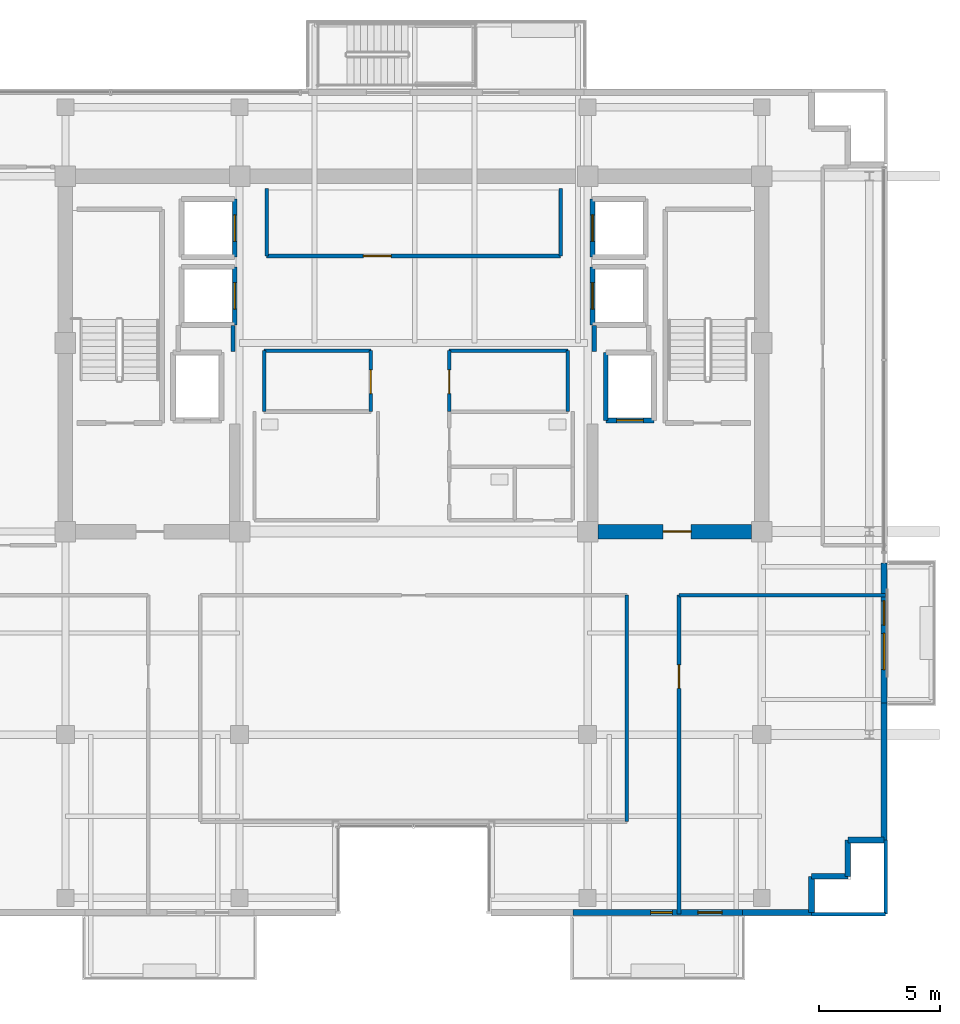
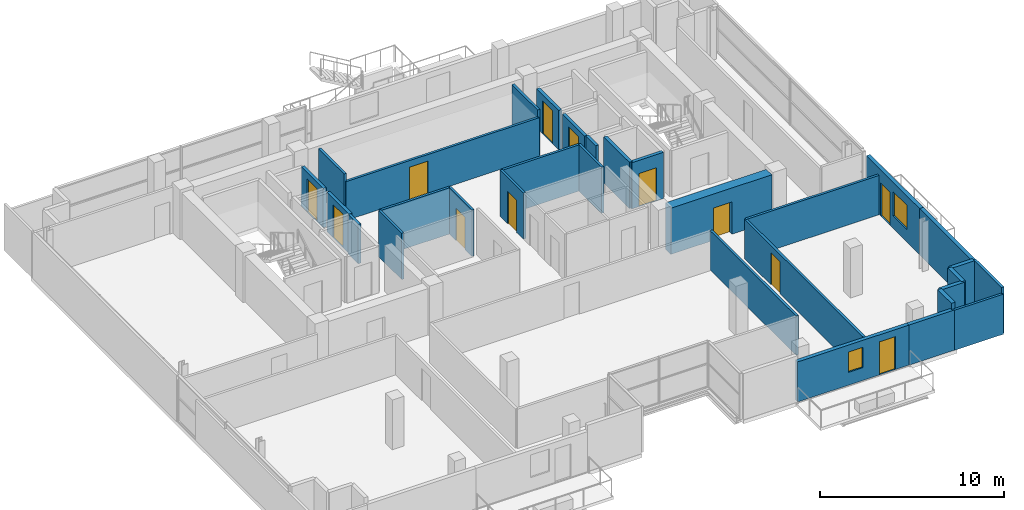
# One storey, part 18 of 24: 31 walls, 12 doors, 2 windows, 14 openings.
"""IFC4 building model written with IfcOpenShell, lengths in metres."""

import ifcopenshell
import ifcopenshell.guid

model = None  # the IFC model being written
_history = None  # IfcOwnerHistory: only IFC2X3 demands one
_inside = {}  # id of a spatial element -> (the spatial element, [elements in it])
_under = {}  # id of a project, library or spatial element -> (it, [spatial elements below it])
_declared = {}  # id of a project -> (the project, [libraries it declares])
_typed = {}  # id of a type object -> (the type object, [elements of that type])
_made_of = {}  # id of a material, layer set ... -> (it, [elements and type objects made of it])


def new_model(schema):
    """Start an empty IFC model of exactly this schema.

    Asked for "IFC4X3", IfcOpenShell would pick the latest addendum, in which some entities
    have other attributes; the version numbers below select the first issue.
    IFC2X3 requires an IfcOwnerHistory on every rooted entity: one is made here for all.
    """
    global model, _history
    if schema == "IFC4X3":
        model = ifcopenshell.file(schema_version=(4, 3, 0, 0))
    else:
        model = ifcopenshell.file(schema=schema)
    _inside.clear()
    _under.clear()
    _declared.clear()
    _typed.clear()
    _made_of.clear()
    _history = None
    if model.schema == "IFC2X3":
        org = make("IfcOrganization", Name="unknown")
        user = make(
            "IfcPersonAndOrganization",
            ThePerson=make("IfcPerson", FamilyName="unknown"),
            TheOrganization=org,
        )
        app = make(
            "IfcApplication",
            ApplicationDeveloper=org,
            Version="unknown",
            ApplicationFullName="unknown",
            ApplicationIdentifier="unknown",
        )
        _history = make(
            "IfcOwnerHistory",
            OwningUser=user,
            OwningApplication=app,
            ChangeAction="ADDED",
            CreationDate=0,
        )
    return model


def make(cls, **values):
    """One entity of the class cls with the attributes given. An attribute that is None is left unset."""
    return model.create_entity(
        cls, **{name: value for name, value in values.items() if value is not None}
    )


def rooted(cls, **values):
    """An entity with a GlobalId (a new one), such as an element, a storey or a relation."""
    return make(cls, GlobalId=ifcopenshell.guid.new(), OwnerHistory=_history, **values)


def si_unit(unit_type, name, prefix=None):
    """IfcSIUnit, for example si_unit("LENGTHUNIT", "METRE", prefix="MILLI")."""
    return make("IfcSIUnit", UnitType=unit_type, Prefix=prefix, Name=name)


def assignment(units):
    """IfcUnitAssignment: the units of a project."""
    return None if units is None else make("IfcUnitAssignment", Units=units)


def point(xyz):
    """IfcCartesianPoint."""
    return None if xyz is None else make("IfcCartesianPoint", Coordinates=xyz)


def direction(xyz):
    """IfcDirection."""
    return None if xyz is None else make("IfcDirection", DirectionRatios=xyz)


def frame(location, z_axis=None, x_axis=None):
    """IfcAxis2Placement3D, a coordinate frame: its origin and axes. An axis left out is left unset."""
    return make(
        "IfcAxis2Placement3D",
        Location=point(location),
        Axis=direction(z_axis),
        RefDirection=direction(x_axis),
    )


def frame_2d(location, x_axis=None):
    """IfcAxis2Placement2D, a coordinate frame in the plane: its origin and x axis."""
    return make(
        "IfcAxis2Placement2D", Location=point(location), RefDirection=direction(x_axis)
    )


def origin():
    """The frame at (0, 0, 0) with its axes left unset."""
    return frame((0.0, 0.0, 0.0))


def place(relative_to, where):
    """IfcLocalPlacement: puts the frame where relative to a parent placement (None: the world)."""
    return make(
        "IfcLocalPlacement", PlacementRelTo=relative_to, RelativePlacement=where
    )


def context(
    kind, dimensions, precision=None, world=None, true_north=None, identifier=None
):
    """IfcGeometricRepresentationContext, for example the 3D "Model" context."""
    return make(
        "IfcGeometricRepresentationContext",
        ContextIdentifier=identifier,
        ContextType=kind,
        CoordinateSpaceDimension=dimensions,
        Precision=precision,
        WorldCoordinateSystem=world,
        TrueNorth=true_north,
    )


def subcontext(parent, identifier, kind, view, scale=None):
    """IfcGeometricRepresentationSubContext, for example "Body" below "Model"."""
    return make(
        "IfcGeometricRepresentationSubContext",
        ContextIdentifier=identifier,
        ContextType=kind,
        ParentContext=parent,
        TargetScale=scale,
        TargetView=view,
    )


def project(units=None, contexts=None):
    """IfcProject with its units and contexts."""
    return rooted(
        "IfcProject",
        Name="project",
        RepresentationContexts=contexts,
        UnitsInContext=assignment(units),
    )


def spatial(cls, under=None, at=None, **own):
    """A site, building, storey or space (cls), placed at a placement, below another one or the project."""
    s = rooted(cls, ObjectPlacement=at, **own)
    if under is not None:
        _under.setdefault(under.id(), (under, []))[1].append(s)
    return s


def profile(cls, at=None, kind="AREA", **sizes):
    """A parametric profile (cls). Its sizes go by their IFC names, for example OverallWidth=200.0."""
    return make(cls, ProfileType=kind, Position=at, **sizes)


def rectangle(**sizes):
    """IfcRectangleProfileDef."""
    return profile("IfcRectangleProfileDef", **sizes)


def extrude(swept, where, along, depth):
    """IfcExtrudedAreaSolid: the profile swept, set in the frame where, extruded along a direction by depth."""
    return make(
        "IfcExtrudedAreaSolid",
        SweptArea=swept,
        Position=where,
        ExtrudedDirection=direction(along),
        Depth=depth,
    )


def shape(context_of_items, identifier, shape_type, items):
    """IfcShapeRepresentation: the items that make up one representation, for example the "Body"."""
    return make(
        "IfcShapeRepresentation",
        ContextOfItems=context_of_items,
        RepresentationIdentifier=identifier,
        RepresentationType=shape_type,
        Items=items,
    )


def source(mapping_origin, context_of_items, identifier, shape_type, items):
    """IfcRepresentationMap: a shape defined once, which mapped items show again and again."""
    return make(
        "IfcRepresentationMap",
        MappingOrigin=mapping_origin,
        MappedRepresentation=shape(context_of_items, identifier, shape_type, items),
    )


def transform(
    local_origin,
    x_axis=None,
    y_axis=None,
    z_axis=None,
    scale=None,
    scale2=None,
    scale3=None,
    uniform=True,
):
    """IfcCartesianTransformationOperator3D, or its non-uniform kind. x_axis, y_axis, z_axis: its Axis1, 2, 3."""
    if uniform:
        return make(
            "IfcCartesianTransformationOperator3D",
            Axis1=direction(x_axis),
            Axis2=direction(y_axis),
            LocalOrigin=point(local_origin),
            Scale=scale,
            Axis3=direction(z_axis),
        )
    return make(
        "IfcCartesianTransformationOperator3DnonUniform",
        Axis1=direction(x_axis),
        Axis2=direction(y_axis),
        LocalOrigin=point(local_origin),
        Scale=scale,
        Axis3=direction(z_axis),
        Scale2=scale2,
        Scale3=scale3,
    )


def mapped(mapping_source, mapping_target):
    """IfcMappedItem: shows the shape of a source again, moved by a transform."""
    return make(
        "IfcMappedItem", MappingSource=mapping_source, MappingTarget=mapping_target
    )


def material(Name=None, Category=None):
    """IfcMaterial."""
    return make("IfcMaterial", Name=Name, Category=Category)


def layer(
    of_material, thickness, ventilated=None, Name=None, Category=None, Priority=None
):
    """IfcMaterialLayer: one layer of a wall or slab, of a material (None: an air gap)."""
    return make(
        "IfcMaterialLayer",
        Material=of_material,
        LayerThickness=thickness,
        IsVentilated=ventilated,
        Name=Name,
        Category=Category,
        Priority=Priority,
    )


def layer_set(layers, Name=None):
    """IfcMaterialLayerSet."""
    return make("IfcMaterialLayerSet", MaterialLayers=layers, LayerSetName=Name)


def made_of(thing, what):
    """Note that an element or type object is made of a material, layer set ...; save() writes the relation."""
    if what is not None:
        _made_of.setdefault(what.id(), (what, []))[1].append(thing)
    return thing


def type_object(cls, material=None, **own):
    """A type object (cls), such as IfcWallType, which elements share."""
    return made_of(rooted(cls, **own), material)


def element(
    cls,
    number,
    at=None,
    inside=None,
    cuts=None,
    type_object=None,
    material=None,
    context=None,
    identifier="Body",
    shape_type=None,
    held_by="IfcProductDefinitionShape",
    body=None,
    shapes=None,
    **own,
):
    """One element of the class cls, such as IfcWall. Its Tag is "e" and its number.

    at: its placement. inside: the storey or other place that contains it. cuts: it is an
    opening in that element (IfcRelVoidsElement). A single representation is given by context,
    identifier, shape_type and body (its items); several are given by shapes. held_by: the class
    of the entity that holds the representations. save() writes the other relations.
    """
    e = rooted(cls, Tag="e%d" % number, ObjectPlacement=at, **own)
    if body is not None:
        shapes = [shape(context, identifier, shape_type, body)]
    if shapes is not None:
        e.Representation = make(held_by, Representations=shapes)
    if inside is not None:
        _inside.setdefault(inside.id(), (inside, []))[1].append(e)
    if cuts is not None:
        rooted(
            "IfcRelVoidsElement", RelatingBuildingElement=cuts, RelatedOpeningElement=e
        )
    if type_object is not None:
        _typed.setdefault(type_object.id(), (type_object, []))[1].append(e)
    return made_of(e, material)


def fill(opening, filler):
    """IfcRelFillsElement: the door or window that sits in an opening."""
    return rooted(
        "IfcRelFillsElement",
        RelatingOpeningElement=opening,
        RelatedBuildingElement=filler,
    )


def aggregate(whole, parts):
    """IfcRelAggregates: a whole, such as a stair, and the parts it consists of."""
    return rooted("IfcRelAggregates", RelatingObject=whole, RelatedObjects=parts)


def save(model, path):
    """Write the relations noted so far, then the file.

    IfcRelAggregates (storeys below a building ...), IfcRelContainedInSpatialStructure (elements
    in a storey), IfcRelDefinesByType, IfcRelAssociatesMaterial and IfcRelDeclares: one each for
    every whole, place, type object, material and project.
    """
    for whole, parts in _under.values():
        aggregate(whole, parts)
    for where, things in _inside.values():
        rooted(
            "IfcRelContainedInSpatialStructure",
            RelatedElements=things,
            RelatingStructure=where,
        )
    for kind, things in _typed.values():
        rooted("IfcRelDefinesByType", RelatedObjects=things, RelatingType=kind)
    for what, things in _made_of.values():
        rooted("IfcRelAssociatesMaterial", RelatedObjects=things, RelatingMaterial=what)
    for by, libraries in _declared.values():
        rooted("IfcRelDeclares", RelatingContext=by, RelatedDefinitions=libraries)
    model.write(path)


model = new_model("IFC4")

# Units and contexts
model_context = context("Model", 3, precision=1e-05, world=origin(), true_north=direction((0.0, 1.0)))
body_context = subcontext(model_context, "Body", "Model", "MODEL_VIEW")
ifc_project = project(units=[si_unit("LENGTHUNIT", "METRE"), si_unit("AREAUNIT", "SQUARE_METRE"), si_unit("VOLUMEUNIT", "CUBIC_METRE"), si_unit("PLANEANGLEUNIT", "RADIAN"), si_unit("MASSUNIT", "GRAM", prefix="KILO")], contexts=[model_context])

# Site, building, storey
site_placement = place(None, origin())
site = spatial("IfcSite", under=ifc_project, at=site_placement, CompositionType="ELEMENT")
building_placement = place(site_placement, origin())
building = spatial("IfcBuilding", under=site, at=building_placement, Name="Zarnakvel Exchange Tower", CompositionType="ELEMENT")
storey_placement = place(building_placement, frame((0.0, 0.0, 205.60009765625)))
storey = spatial("IfcBuildingStorey", under=building, at=storey_placement, Name="L57", CompositionType="ELEMENT", Elevation=205.60009765625)

# Wall, opening, door
ifc_material_1 = material(Name="Concrete C50/60", Category="concrete")
ifc_layer_1 = layer(ifc_material_1, 0.60009765625)
ifc_layer_set_1 = layer_set([ifc_layer_1], Name="Concrete C50/60")
wall_type_1 = type_object("IfcWallType", Name="CW-C5", PredefinedType="SHEAR", material=ifc_layer_set_1)
wall_1_placement = place(storey_placement, frame((13.97509765625, -1.199951171875, 0.0), z_axis=(0.0, 0.0, 1.0), x_axis=(-1.0, 0.0, 0.0)))
wall_1 = element("IfcWall", 1, at=wall_1_placement, inside=storey, type_object=wall_type_1, Name="L57 Rear Core Shear Wall SE (CW-C5)", PredefinedType="SHEAR", context=body_context, shape_type="SweptSolid", body=[
    extrude(rectangle(XDim=6.35009765625, YDim=0.60009765625, at=frame_2d((3.175048828125, 0.0))), origin(), (0.0, 0.0, 1.0), 3.074951171875),
])
opening_1_placement = place(wall_1_placement, frame((2.5, 0.0, 0.0)))
opening_1 = element("IfcOpeningElement", 2, at=opening_1_placement, cuts=wall_1, Name="Opening D-L57-04", PredefinedType="OPENING", context=body_context, shape_type="SweptSolid", body=[
    extrude(rectangle(XDim=1.14990234375, YDim=2.14990234375, at=frame_2d((0.574951171875, 1.074951171875))), frame((0.0, 0.31005859375, 0.0), z_axis=(0.0, -1.0, 0.0), x_axis=(1.0, 0.0, 0.0)), (0.0, 0.0, 1.0), 0.6201171875),
])
ifc_material_2 = material(Name="Painted Galvanised Steel S355", Category="steel")
door_type_1 = type_object("IfcDoorType", Name="DT-04", OperationType="NOTDEFINED", PredefinedType="DOOR", material=ifc_material_2)
shared_shape_1 = source(origin(), body_context, "Body", "SweptSolid", [
    extrude(rectangle(XDim=1.14990234375, YDim=2.14990234375, at=frame_2d((0.574951171875, 1.074951171875))), frame((0.0, 0.02490234375, 0.0), z_axis=(0.0, -1.0, 0.0), x_axis=(1.0, 0.0, 0.0)), (0.0, 0.0, 1.0), 0.050048828125),
])
door_1_placement = place(opening_1_placement, origin())
door_1 = element("IfcDoor", 3, at=door_1_placement, inside=storey, type_object=door_type_1, Name="L57 Firefighting Lobby East Door D-L57-04", OperationType="SINGLE_SWING_RIGHT", OverallHeight=2.14990234375, OverallWidth=1.14990234375, PredefinedType="DOOR", context=body_context, shape_type="MappedRepresentation", body=[
    mapped(shared_shape_1, transform((0.0, 0.0, 0.0), x_axis=(1.0, 0.0, 0.0), y_axis=(0.0, 1.0, 0.0), z_axis=(0.0, 0.0, 1.0), scale=1.0)),
])
fill(opening_1, door_1)

# Wall, openings, door, window
ifc_material_3 = material(Name="Precast concrete C40/50", Category="concrete")
ifc_layer_2 = layer(ifc_material_3, 0.239990234375)
ifc_layer_set_2 = layer_set([ifc_layer_2], Name="Precast concrete C40/50")
wall_type_2 = type_object("IfcWallType", Name="EW-02", PredefinedType="SOLIDWALL", material=ifc_layer_set_2)
wall_2_placement = place(storey_placement, frame((13.60009765625, -16.9599609375, 0.0), z_axis=(0.0, 0.0, 1.0), x_axis=(-1.0, 0.0, 0.0)))
wall_2 = element("IfcWall", 4, at=wall_2_placement, inside=storey, type_object=wall_type_2, Name="L57 Exterior Precast Spandrel Wall EW-BAL-L57-SE (EW-02)", PredefinedType="SOLIDWALL", context=body_context, shape_type="SweptSolid", body=[
    extrude(rectangle(XDim=7.0, YDim=0.239990234375, at=frame_2d((3.5, 0.0))), origin(), (0.0, 0.0, 1.0), 2.664794921875),
])
opening_2_placement = place(wall_2_placement, frame((0.840087890625, 0.0, 0.0)))
opening_2 = element("IfcOpeningElement", 5, at=opening_2_placement, cuts=wall_2, Name="Opening BD-L57-02", PredefinedType="OPENING", context=body_context, shape_type="SweptSolid", body=[
    extrude(rectangle(XDim=1.0, YDim=2.199951171875, at=frame_2d((0.5, 1.10009765625))), frame((0.0, 0.1298828125, 0.0), z_axis=(0.0, -1.0, 0.0), x_axis=(1.0, 0.0, 0.0)), (0.0, 0.0, 1.0), 0.260009765625),
])
opening_3_placement = place(wall_2_placement, frame((2.89990234375, 0.0, 0.85009765625)))
opening_3 = element("IfcOpeningElement", 6, at=opening_3_placement, cuts=wall_2, Name="Opening WN-06", PredefinedType="OPENING", context=body_context, shape_type="SweptSolid", body=[
    extrude(rectangle(XDim=0.89990234375, YDim=1.35009765625, at=frame_2d((0.449951171875, 0.675048828125))), frame((0.0, 0.1298828125, 0.0), z_axis=(0.0, -1.0, 0.0), x_axis=(1.0, 0.0, 0.0)), (0.0, 0.0, 1.0), 0.260009765625),
])
ifc_material_4 = material(Name="Architectural Bronze Anodised Aluminium", Category="aluminium")
door_type_2 = type_object("IfcDoorType", Name="DT-09", OperationType="NOTDEFINED", PredefinedType="DOOR", material=ifc_material_4)
shared_shape_2 = source(origin(), body_context, "Body", "SweptSolid", [
    extrude(rectangle(XDim=1.0, YDim=2.199951171875, at=frame_2d((0.5, 1.10009765625))), frame((0.0, 0.02490234375, 0.0), z_axis=(0.0, -1.0, 0.0), x_axis=(1.0, 0.0, 0.0)), (0.0, 0.0, 1.0), 0.050048828125),
])
door_2_placement = place(opening_2_placement, origin())
door_2 = element("IfcDoor", 7, at=door_2_placement, inside=storey, type_object=door_type_2, Name="L57 Planted Loggia Balcony Door BD-L57-02", OperationType="SINGLE_SWING_RIGHT", OverallHeight=2.199951171875, OverallWidth=1.0, PredefinedType="DOOR", context=body_context, shape_type="MappedRepresentation", body=[
    mapped(shared_shape_2, transform((0.0, 0.0, 0.0), x_axis=(1.0, 0.0, 0.0), y_axis=(0.0, 1.0, 0.0), z_axis=(0.0, 0.0, 1.0), scale=1.0)),
])
fill(opening_2, door_2)
ifc_material_5 = material(Name="Double Low-E Laminated Vision Glass", Category="glass")
window_type_1 = type_object("IfcWindowType", Name="WN-06", PartitioningType="SINGLE_PANEL", PredefinedType="WINDOW", material=ifc_material_5)
shared_shape_3 = source(origin(), body_context, "Body", "SweptSolid", [
    extrude(rectangle(XDim=0.89990234375, YDim=1.35009765625, at=frame_2d((0.449951171875, 0.675048828125))), frame((0.0, 0.030029296875, 0.0), z_axis=(0.0, -1.0, 0.0), x_axis=(1.0, 0.0, 0.0)), (0.0, 0.0, 1.0), 0.06005859375),
])
window_1_placement = place(opening_3_placement, origin())
window_1 = element("IfcWindow", 8, at=window_1_placement, inside=storey, type_object=window_type_1, Name="L57 Loggia Daylight Window (WN-06)", OverallHeight=1.35009765625, OverallWidth=0.89990234375, PartitioningType="SINGLE_PANEL", PredefinedType="WINDOW", context=body_context, shape_type="MappedRepresentation", body=[
    mapped(shared_shape_3, transform((0.0, 0.0, 0.0), x_axis=(1.0, 0.0, 0.0), y_axis=(0.0, 1.0, 0.0), z_axis=(0.0, 0.0, 1.0), scale=1.0)),
])
fill(opening_3, window_1)

wall_3_placement = place(storey_placement, frame((19.4599609375, -2.5, 0.0), z_axis=(0.0, 0.0, 1.0), x_axis=(0.0, -1.0, 0.0)))
wall_3 = element("IfcWall", 9, at=wall_3_placement, inside=storey, type_object=wall_type_2, Name="L57 Exterior Precast Spandrel Wall EW-BAL-L57-E (EW-02)", PredefinedType="SOLIDWALL", context=body_context, shape_type="SweptSolid", body=[
    extrude(rectangle(XDim=5.800048828125, YDim=0.239990234375, at=frame_2d((2.89990234375, 0.0))), origin(), (0.0, 0.0, 1.0), 3.074951171875),
])
opening_4_placement = place(wall_3_placement, frame((1.56591796875, 0.0, 0.0)))
opening_4 = element("IfcOpeningElement", 10, at=opening_4_placement, cuts=wall_3, Name="Opening BD-L57-03", PredefinedType="OPENING", context=body_context, shape_type="SweptSolid", body=[
    extrude(rectangle(XDim=1.0, YDim=2.199951171875, at=frame_2d((0.5, 1.10009765625))), frame((0.0, 0.1298828125, 0.0), z_axis=(0.0, -1.0, 0.0), x_axis=(1.0, 0.0, 0.0)), (0.0, 0.0, 1.0), 0.260009765625),
])
opening_5_placement = place(wall_3_placement, frame((2.916015625, 0.0, 0.85009765625)))
opening_5 = element("IfcOpeningElement", 11, at=opening_5_placement, cuts=wall_3, Name="Opening WN-03", PredefinedType="OPENING", context=body_context, shape_type="SweptSolid", body=[
    extrude(rectangle(XDim=1.5, YDim=1.60009765625, at=frame_2d((0.75, 0.800048828125))), frame((0.0, 0.1298828125, 0.0), z_axis=(0.0, -1.0, 0.0), x_axis=(1.0, 0.0, 0.0)), (0.0, 0.0, 1.0), 0.260009765625),
])
door_3_placement = place(opening_4_placement, origin())
door_3 = element("IfcDoor", 12, at=door_3_placement, inside=storey, type_object=door_type_2, Name="L57 Planted Loggia Balcony Door BD-L57-03", OperationType="SINGLE_SWING_LEFT", OverallHeight=2.199951171875, OverallWidth=1.0, PredefinedType="DOOR", context=body_context, shape_type="MappedRepresentation", body=[
    mapped(shared_shape_2, transform((0.0, 0.0, 0.0), x_axis=(1.0, 0.0, 0.0), y_axis=(0.0, 1.0, 0.0), z_axis=(0.0, 0.0, 1.0), scale=1.0)),
])
fill(opening_4, door_3)
window_type_2 = type_object("IfcWindowType", Name="WN-03", PartitioningType="SINGLE_PANEL", PredefinedType="WINDOW", material=ifc_material_5)
shared_shape_4 = source(origin(), body_context, "Body", "SweptSolid", [
    extrude(rectangle(XDim=1.5, YDim=1.60009765625, at=frame_2d((0.75, 0.800048828125))), frame((0.0, 0.030029296875, 0.0), z_axis=(0.0, -1.0, 0.0), x_axis=(1.0, 0.0, 0.0)), (0.0, 0.0, 1.0), 0.06005859375),
])
window_2_placement = place(opening_5_placement, origin())
window_2 = element("IfcWindow", 13, at=window_2_placement, inside=storey, type_object=window_type_2, Name="L57 Loggia Daylight Window (WN-03)", OverallHeight=1.60009765625, OverallWidth=1.5, PartitioningType="SINGLE_PANEL", PredefinedType="WINDOW", context=body_context, shape_type="MappedRepresentation", body=[
    mapped(shared_shape_4, transform((0.0, 0.0, 0.0), x_axis=(1.0, 0.0, 0.0), y_axis=(0.0, 1.0, 0.0), z_axis=(0.0, 0.0, 1.0), scale=1.0)),
])
fill(opening_5, window_2)

# Walls
wall_4_placement = place(storey_placement, frame((19.4599609375, -13.9599609375, 0.0), z_axis=(0.0, 0.0, 1.0), x_axis=(0.0, 1.0, 0.0)))
element("IfcWall", 14, at=wall_4_placement, inside=storey, type_object=wall_type_2, Name="L57 Exterior Precast Spandrel Wall EWC-L57-12 (EW-02)", PredefinedType="SOLIDWALL", context=body_context, shape_type="SweptSolid", body=[
    extrude(rectangle(XDim=5.659912109375, YDim=0.239990234375, at=frame_2d((2.830078125, 0.0))), origin(), (0.0, 0.0, 1.0), 3.074951171875),
])
for number, where, z_axis, x_axis, name in (
    (15, (17.9599609375, -13.9599609375, 0.0), (0.0, 0.0, 1.0), (1.0, 0.0, 0.0), "L57 Exterior Precast Spandrel Wall EWC-L57-13 (EW-02)"),
    (16, (17.9599609375, -15.4599609375, 0.0), (0.0, 0.0, 1.0), (0.0, 1.0, 0.0), "L57 Exterior Precast Spandrel Wall EWC-L57-14 (EW-02)"),
    (17, (16.4599609375, -15.4599609375, 0.0), (0.0, 0.0, 1.0), (1.0, 0.0, 0.0), "L57 Exterior Precast Spandrel Wall EWC-L57-15 (EW-02)"),
    (18, (16.4599609375, -16.9599609375, 0.0), (0.0, 0.0, 1.0), (0.0, 1.0, 0.0), "L57 Exterior Precast Spandrel Wall EWC-L57-16 (EW-02)"),
):
    element("IfcWall", number, at=place(storey_placement, frame(where, z_axis=z_axis, x_axis=x_axis)), inside=storey, type_object=wall_type_2, Name=name, PredefinedType="SOLIDWALL", context=body_context, shape_type="SweptSolid", body=[
        extrude(rectangle(XDim=1.5, YDim=0.239990234375, at=frame_2d((0.75, 0.0))), origin(), (0.0, 0.0, 1.0), 3.074951171875),
    ])
wall_5_placement = place(storey_placement, frame((13.60009765625, -16.9599609375, 0.0), z_axis=(0.0, 0.0, 1.0), x_axis=(1.0, 0.0, 0.0)))
element("IfcWall", 19, at=wall_5_placement, inside=storey, type_object=wall_type_2, Name="L57 Exterior Precast Spandrel Wall EWC-L57-17 (EW-02)", PredefinedType="SOLIDWALL", context=body_context, shape_type="SweptSolid", body=[
    extrude(rectangle(XDim=2.85986328125, YDim=0.239990234375, at=frame_2d((1.429931640625, 0.0))), origin(), (0.0, 0.0, 1.0), 2.664794921875),
])

# Wall, opening, door
ifc_material_6 = material(Name="Fire-Rated Gypsum Stud Partition", Category="gypsum")
ifc_layer_3 = layer(ifc_material_6, 0.14990234375)
ifc_layer_set_3 = layer_set([ifc_layer_3], Name="Fire-Rated Gypsum Stud Partition")
wall_type_3 = type_object("IfcWallType", Name="PT-01", PredefinedType="PARTITIONING", material=ifc_layer_set_3)
wall_6_placement = place(storey_placement, frame((6.080078125, 10.199951171875, 0.0), z_axis=(0.0, 0.0, 1.0), x_axis=(-1.0, 0.0, 0.0)))
wall_6 = element("IfcWall", 20, at=wall_6_placement, inside=storey, type_object=wall_type_3, Name="L57 Partition Wall PWALL-L57-011 (PT-01)", PredefinedType="PARTITIONING", context=body_context, shape_type="SweptSolid", body=[
    extrude(rectangle(XDim=12.16015625, YDim=0.14990234375, at=frame_2d((6.080078125, 0.0))), origin(), (0.0, 0.0, 1.0), 2.58984375),
])
opening_6_placement = place(wall_6_placement, frame((7.0048828125, 0.0, 0.0)))
opening_6 = element("IfcOpeningElement", 21, at=opening_6_placement, cuts=wall_6, Name="Opening D-L57-05", PredefinedType="OPENING", context=body_context, shape_type="SweptSolid", body=[
    extrude(rectangle(XDim=1.14990234375, YDim=2.14990234375, at=frame_2d((0.574951171875, 1.074951171875))), frame((0.0, 0.0849609375, 0.0), z_axis=(0.0, -1.0, 0.0), x_axis=(1.0, 0.0, 0.0)), (0.0, 0.0, 1.0), 0.169921875),
])
door_4_placement = place(opening_6_placement, origin())
door_4 = element("IfcDoor", 22, at=door_4_placement, inside=storey, type_object=door_type_1, Name="L57 Market Data Archive Suite Door D-L57-05", OperationType="SINGLE_SWING_LEFT", OverallHeight=2.14990234375, OverallWidth=1.14990234375, PredefinedType="DOOR", context=body_context, shape_type="MappedRepresentation", body=[
    mapped(shared_shape_1, transform((0.0, 0.0, 0.0), x_axis=(1.0, 0.0, 0.0), y_axis=(0.0, 1.0, 0.0), z_axis=(0.0, 0.0, 1.0), scale=1.0)),
])
fill(opening_6, door_4)

# Walls
for number, where, z_axis, x_axis, name in (
    (23, (-6.080078125, 10.199951171875, 0.0), (0.0, 0.0, 1.0), (0.0, 1.0, 0.0), "L57 Partition Wall PWALL-L57-012 (PT-01)"),
    (24, (6.080078125, 13.0, 0.0), (0.0, 0.0, 1.0), (0.0, -1.0, 0.0), "L57 Partition Wall PWALL-L57-013 (PT-01)"),
):
    element("IfcWall", number, at=place(storey_placement, frame(where, z_axis=z_axis, x_axis=x_axis)), inside=storey, type_object=wall_type_3, Name=name, PredefinedType="PARTITIONING", context=body_context, shape_type="SweptSolid", body=[
        extrude(rectangle(XDim=2.800048828125, YDim=0.14990234375, at=frame_2d((1.39990234375, 0.0))), origin(), (0.0, 0.0, 1.0), 3.074951171875),
    ])
wall_7_placement = place(storey_placement, frame((-6.179931640625, 6.280029296875, 0.0), z_axis=(0.0, 0.0, 1.0), x_axis=(1.0, 0.0, 0.0)))
element("IfcWall", 25, at=wall_7_placement, inside=storey, type_object=wall_type_3, Name="L57 Partition Wall PWALL-L57-015 (PT-01)", PredefinedType="PARTITIONING", context=body_context, shape_type="SweptSolid", body=[
    extrude(rectangle(XDim=4.409912109375, YDim=0.14990234375, at=frame_2d((2.205078125, 0.0))), origin(), (0.0, 0.0, 1.0), 3.074951171875),
])
wall_8_placement = place(storey_placement, frame((-6.179931640625, 3.760009765625, 0.0), z_axis=(0.0, 0.0, 1.0), x_axis=(0.0, 1.0, 0.0)))
element("IfcWall", 26, at=wall_8_placement, inside=storey, type_object=wall_type_3, Name="L57 Partition Wall PWALL-L57-016 (PT-01)", PredefinedType="PARTITIONING", context=body_context, shape_type="SweptSolid", body=[
    extrude(rectangle(XDim=2.52001953125, YDim=0.14990234375, at=frame_2d((1.260009765625, 0.0))), origin(), (0.0, 0.0, 1.0), 3.074951171875),
])

# Wall, opening, door
wall_9_placement = place(storey_placement, frame((-1.77001953125, 6.280029296875, 0.0), z_axis=(0.0, 0.0, 1.0), x_axis=(0.0, -1.0, 0.0)))
wall_9 = element("IfcWall", 27, at=wall_9_placement, inside=storey, type_object=wall_type_3, Name="L57 Partition Wall PWALL-L57-017 (PT-01)", PredefinedType="PARTITIONING", context=body_context, shape_type="SweptSolid", body=[
    extrude(rectangle(XDim=2.52001953125, YDim=0.14990234375, at=frame_2d((1.260009765625, 0.0))), origin(), (0.0, 0.0, 1.0), 3.074951171875),
])
opening_7_placement = place(wall_9_placement, frame((0.7900390625, 0.0, 0.0)))
opening_7 = element("IfcOpeningElement", 28, at=opening_7_placement, cuts=wall_9, Name="Opening D-L57-06", PredefinedType="OPENING", context=body_context, shape_type="SweptSolid", body=[
    extrude(rectangle(XDim=0.97998046875, YDim=2.14990234375, at=frame_2d((0.489990234375, 1.074951171875))), frame((0.0, 0.0849609375, 0.0), z_axis=(0.0, -1.0, 0.0), x_axis=(1.0, 0.0, 0.0)), (0.0, 0.0, 1.0), 0.169921875),
])
ifc_material_7 = material(Name="Timber Acoustic Veneer", Category="wood")
door_type_3 = type_object("IfcDoorType", Name="DT-05", OperationType="NOTDEFINED", PredefinedType="DOOR", material=ifc_material_7)
shared_shape_5 = source(origin(), body_context, "Body", "SweptSolid", [
    extrude(rectangle(XDim=0.97998046875, YDim=2.14990234375, at=frame_2d((0.489990234375, 1.074951171875))), frame((0.0, 0.02490234375, 0.0), z_axis=(0.0, -1.0, 0.0), x_axis=(1.0, 0.0, 0.0)), (0.0, 0.0, 1.0), 0.050048828125),
])
door_5_placement = place(opening_7_placement, origin())
door_5 = element("IfcDoor", 29, at=door_5_placement, inside=storey, type_object=door_type_3, Name="L57 Sovereign Compliance Office Door D-L57-06", OperationType="SINGLE_SWING_RIGHT", OverallHeight=2.14990234375, OverallWidth=0.97998046875, PredefinedType="DOOR", context=body_context, shape_type="MappedRepresentation", body=[
    mapped(shared_shape_5, transform((0.0, 0.0, 0.0), x_axis=(1.0, 0.0, 0.0), y_axis=(0.0, 1.0, 0.0), z_axis=(0.0, 0.0, 1.0), scale=1.0)),
])
fill(opening_7, door_5)

# Wall
wall_10_placement = place(storey_placement, frame((1.469970703125, 6.280029296875, 0.0), z_axis=(0.0, 0.0, 1.0), x_axis=(1.0, 0.0, 0.0)))
element("IfcWall", 30, at=wall_10_placement, inside=storey, type_object=wall_type_3, Name="L57 Partition Wall PWALL-L57-019 (PT-01)", PredefinedType="PARTITIONING", context=body_context, shape_type="SweptSolid", body=[
    extrude(rectangle(XDim=4.909912109375, YDim=0.14990234375, at=frame_2d((2.455078125, 0.0))), origin(), (0.0, 0.0, 1.0), 3.074951171875),
])

# Wall, opening, door
wall_11_placement = place(storey_placement, frame((1.469970703125, 3.760009765625, 0.0), z_axis=(0.0, 0.0, 1.0), x_axis=(0.0, 1.0, 0.0)))
wall_11 = element("IfcWall", 31, at=wall_11_placement, inside=storey, type_object=wall_type_3, Name="L57 Partition Wall PWALL-L57-020 (PT-01)", PredefinedType="PARTITIONING", context=body_context, shape_type="SweptSolid", body=[
    extrude(rectangle(XDim=2.52001953125, YDim=0.14990234375, at=frame_2d((1.260009765625, 0.0))), origin(), (0.0, 0.0, 1.0), 3.074951171875),
])
opening_8_placement = place(wall_11_placement, frame((0.75, 0.0, 0.0)))
opening_8 = element("IfcOpeningElement", 32, at=opening_8_placement, cuts=wall_11, Name="Opening D-L57-07", PredefinedType="OPENING", context=body_context, shape_type="SweptSolid", body=[
    extrude(rectangle(XDim=0.97998046875, YDim=2.14990234375, at=frame_2d((0.489990234375, 1.074951171875))), frame((0.0, 0.0849609375, 0.0), z_axis=(0.0, -1.0, 0.0), x_axis=(1.0, 0.0, 0.0)), (0.0, 0.0, 1.0), 0.169921875),
])
door_6_placement = place(opening_8_placement, origin())
door_6 = element("IfcDoor", 33, at=door_6_placement, inside=storey, type_object=door_type_3, Name="L57 Depository Legal Office Door D-L57-07", OperationType="SINGLE_SWING_LEFT", OverallHeight=2.14990234375, OverallWidth=0.97998046875, PredefinedType="DOOR", context=body_context, shape_type="MappedRepresentation", body=[
    mapped(shared_shape_5, transform((0.0, 0.0, 0.0), x_axis=(1.0, 0.0, 0.0), y_axis=(0.0, 1.0, 0.0), z_axis=(0.0, 0.0, 1.0), scale=1.0)),
])
fill(opening_8, door_6)

# Walls
wall_12_placement = place(storey_placement, frame((6.3798828125, 6.280029296875, 0.0), z_axis=(0.0, 0.0, 1.0), x_axis=(0.0, -1.0, 0.0)))
element("IfcWall", 34, at=wall_12_placement, inside=storey, type_object=wall_type_3, Name="L57 Partition Wall PWALL-L57-021 (PT-01)", PredefinedType="PARTITIONING", context=body_context, shape_type="SweptSolid", body=[
    extrude(rectangle(XDim=2.52001953125, YDim=0.14990234375, at=frame_2d((1.260009765625, 0.0))), origin(), (0.0, 0.0, 1.0), 3.074951171875),
])
wall_13_placement = place(storey_placement, frame((19.530029296875, -17.030029296875, 0.0), z_axis=(0.0, 0.0, 1.0), x_axis=(-1.0, 0.0, 0.0)))
element("IfcWall", 35, at=wall_13_placement, inside=storey, type_object=wall_type_3, Name="L57 Partition Wall PWALL-L57-037 (PT-01)", PredefinedType="PARTITIONING", context=body_context, shape_type="SweptSolid", body=[
    extrude(rectangle(XDim=3.070068359375, YDim=0.14990234375, at=frame_2d((1.53515625, 0.0))), origin(), (0.0, 0.0, 1.0), 2.664794921875),
])
wall_14_placement = place(storey_placement, frame((10.97998046875, -3.830078125, 0.0), z_axis=(0.0, 0.0, 1.0), x_axis=(1.0, 0.0, 0.0)))
element("IfcWall", 36, at=wall_14_placement, inside=storey, type_object=wall_type_3, Name="L57 Partition Wall PWALL-L57-038 (PT-01)", PredefinedType="PARTITIONING", context=body_context, shape_type="SweptSolid", body=[
    extrude(rectangle(XDim=8.550048828125, YDim=0.14990234375, at=frame_2d((4.27490234375, 0.0))), origin(), (0.0, 0.0, 1.0), 2.614990234375),
])

# Wall, opening, door
wall_15_placement = place(storey_placement, frame((10.97998046875, -17.030029296875, 0.0), z_axis=(0.0, 0.0, 1.0), x_axis=(0.0, 1.0, 0.0)))
wall_15 = element("IfcWall", 37, at=wall_15_placement, inside=storey, type_object=wall_type_3, Name="L57 Partition Wall PWALL-L57-039 (PT-01)", PredefinedType="PARTITIONING", context=body_context, shape_type="SweptSolid", body=[
    extrude(rectangle(XDim=13.199951171875, YDim=0.14990234375, at=frame_2d((6.60009765625, 0.0))), origin(), (0.0, 0.0, 1.0), 2.614990234375),
])
opening_9_placement = place(wall_15_placement, frame((9.340087890625, 0.0, 0.0)))
opening_9 = element("IfcOpeningElement", 38, at=opening_9_placement, cuts=wall_15, Name="Opening D-L57-13", PredefinedType="OPENING", context=body_context, shape_type="SweptSolid", body=[
    extrude(rectangle(XDim=0.97998046875, YDim=2.14990234375, at=frame_2d((0.489990234375, 1.074951171875))), frame((0.0, 0.0849609375, 0.0), z_axis=(0.0, -1.0, 0.0), x_axis=(1.0, 0.0, 0.0)), (0.0, 0.0, 1.0), 0.169921875),
])
door_7_placement = place(opening_9_placement, origin())
door_7 = element("IfcDoor", 39, at=door_7_placement, inside=storey, type_object=door_type_3, Name="L57 Executive Conference Room Door D-L57-13", OperationType="SINGLE_SWING_LEFT", OverallHeight=2.14990234375, OverallWidth=0.97998046875, PredefinedType="DOOR", context=body_context, shape_type="MappedRepresentation", body=[
    mapped(shared_shape_5, transform((0.0, 0.0, 0.0), x_axis=(1.0, 0.0, 0.0), y_axis=(0.0, 1.0, 0.0), z_axis=(0.0, 0.0, 1.0), scale=1.0)),
])
fill(opening_9, door_7)

# Walls
wall_16_placement = place(storey_placement, frame((19.530029296875, -13.9599609375, 0.0), z_axis=(0.0, 0.0, 1.0), x_axis=(0.0, -1.0, 0.0)))
element("IfcWall", 40, at=wall_16_placement, inside=storey, type_object=wall_type_3, Name="L57 Partition Wall PWALL-L57-040 (PT-01)", PredefinedType="PARTITIONING", context=body_context, shape_type="SweptSolid", body=[
    extrude(rectangle(XDim=3.070068359375, YDim=0.14990234375, at=frame_2d((1.53515625, 0.0))), origin(), (0.0, 0.0, 1.0), 3.074951171875),
])
wall_17_placement = place(storey_placement, frame((8.820068359375, -3.830078125, 0.0), z_axis=(0.0, 0.0, 1.0), x_axis=(0.0, -1.0, 0.0)))
element("IfcWall", 41, at=wall_17_placement, inside=storey, type_object=wall_type_3, Name="L57 Partition Wall PWALL-L57-044 (PT-01)", PredefinedType="PARTITIONING", context=body_context, shape_type="SweptSolid", body=[
    extrude(rectangle(XDim=9.369873046875, YDim=0.14990234375, at=frame_2d((4.68505859375, 0.0))), origin(), (0.0, 0.0, 1.0), 2.614990234375),
])
ifc_layer_4 = layer(ifc_material_6, 0.179931640625)
ifc_layer_set_4 = layer_set([ifc_layer_4], Name="Fire-Rated Gypsum Stud Partition")
wall_type_4 = type_object("IfcWallType", Name="PT-02", PredefinedType="PARTITIONING", material=ifc_layer_set_4)
for number, where, z_axis, x_axis, name in (
    (42, (-7.469970703125, 7.330078125, 0.0), (0.0, 0.0, 1.0), (0.0, -1.0, 0.0), "L57 Partition Wall PWALL-L57-008 (PT-02)"),
    (43, (7.469970703125, 6.239990234375, 0.0), (0.0, 0.0, 1.0), (0.0, 1.0, 0.0), "L57 Partition Wall PWALL-L57-009 (PT-02)"),
):
    element("IfcWall", number, at=place(storey_placement, frame(where, z_axis=z_axis, x_axis=x_axis)), inside=storey, type_object=wall_type_4, Name=name, PredefinedType="PARTITIONING", context=body_context, shape_type="SweptSolid", body=[
        extrude(rectangle(XDim=1.090087890625, YDim=0.179931640625, at=frame_2d((0.544921875, 0.0))), origin(), (0.0, 0.0, 1.0), 2.614990234375),
    ])

# Wall, opening, door
ifc_material_8 = material(Name="Concrete C40/50", Category="concrete")
ifc_layer_5 = layer(ifc_material_8, 0.199951171875)
ifc_layer_set_5 = layer_set([ifc_layer_5], Name="Concrete C40/50")
wall_type_5 = type_object("IfcWallType", Name="SW-01", PredefinedType="SOLIDWALL", material=ifc_layer_set_5)
wall_18_placement = place(storey_placement, frame((9.949951171875, 3.39990234375, 0.0), z_axis=(0.0, 0.0, 1.0), x_axis=(-1.0, 0.0, 0.0)))
wall_18 = element("IfcWall", 44, at=wall_18_placement, inside=storey, type_object=wall_type_5, Name="L57 FL-02 Hoistway Wall South", PredefinedType="SOLIDWALL", context=body_context, shape_type="SweptSolid", body=[
    extrude(rectangle(XDim=2.0, YDim=0.199951171875, at=frame_2d((1.0, 0.0))), origin(), (0.0, 0.0, 1.0), 3.074951171875),
])
opening_10_placement = place(wall_18_placement, frame((0.449951171875, 0.0, 0.0)))
opening_10 = element("IfcOpeningElement", 45, at=opening_10_placement, cuts=wall_18, Name="Opening LD-FL-02-L57", PredefinedType="OPENING", context=body_context, shape_type="SweptSolid", body=[
    extrude(rectangle(XDim=1.10009765625, YDim=2.199951171875, at=frame_2d((0.550048828125, 1.10009765625))), frame((0.0, 0.10986328125, 0.0), z_axis=(0.0, -1.0, 0.0), x_axis=(1.0, 0.0, 0.0)), (0.0, 0.0, 1.0), 0.219970703125),
])
ifc_material_9 = material(Name="Brushed Stainless Steel", Category="steel")
door_type_4 = type_object("IfcDoorType", Name="LDT-01", OperationType="NOTDEFINED", PredefinedType="DOOR", material=ifc_material_9)
shared_shape_6 = source(origin(), body_context, "Body", "SweptSolid", [
    extrude(rectangle(XDim=1.10009765625, YDim=2.199951171875, at=frame_2d((0.550048828125, 1.10009765625))), frame((0.0, 0.02490234375, 0.0), z_axis=(0.0, -1.0, 0.0), x_axis=(1.0, 0.0, 0.0)), (0.0, 0.0, 1.0), 0.050048828125),
])
door_8_placement = place(opening_10_placement, origin())
door_8 = element("IfcDoor", 46, at=door_8_placement, inside=storey, type_object=door_type_4, Name="L57 FL-02 Lift Landing Door LD-FL-02-L57", OperationType="DOUBLE_DOOR_SLIDING", OverallHeight=2.199951171875, OverallWidth=1.10009765625, PredefinedType="DOOR", context=body_context, shape_type="MappedRepresentation", body=[
    mapped(shared_shape_6, transform((0.0, 0.0, 0.0), x_axis=(1.0, 0.0, 0.0), y_axis=(0.0, 1.0, 0.0), z_axis=(0.0, 0.0, 1.0), scale=1.0)),
])
fill(opening_10, door_8)

# Wall
wall_19_placement = place(storey_placement, frame((7.949951171875, 3.39990234375, 0.0), z_axis=(0.0, 0.0, 1.0), x_axis=(0.0, 1.0, 0.0)))
element("IfcWall", 47, at=wall_19_placement, inside=storey, type_object=wall_type_5, Name="L57 FL-02 Hoistway Wall West", PredefinedType="SOLIDWALL", context=body_context, shape_type="SweptSolid", body=[
    extrude(rectangle(XDim=2.800048828125, YDim=0.199951171875, at=frame_2d((1.39990234375, 0.0))), origin(), (0.0, 0.0, 1.0), 3.074951171875),
])

# Wall, opening, door
wall_20_placement = place(storey_placement, frame((-7.39990234375, 9.75, 0.0), z_axis=(0.0, 0.0, 1.0), x_axis=(0.0, -1.0, 0.0)))
wall_20 = element("IfcWall", 48, at=wall_20_placement, inside=storey, type_object=wall_type_5, Name="L57 PL-09 Hoistway Wall East", PredefinedType="SOLIDWALL", context=body_context, shape_type="SweptSolid", body=[
    extrude(rectangle(XDim=2.39990234375, YDim=0.199951171875, at=frame_2d((1.199951171875, 0.0))), origin(), (0.0, 0.0, 1.0), 2.614990234375),
])
opening_11_placement = place(wall_20_placement, frame((0.64990234375, 0.0, 0.0)))
opening_11 = element("IfcOpeningElement", 49, at=opening_11_placement, cuts=wall_20, Name="Opening LD-PL-09-L57", PredefinedType="OPENING", context=body_context, shape_type="SweptSolid", body=[
    extrude(rectangle(XDim=1.10009765625, YDim=2.199951171875, at=frame_2d((0.550048828125, 1.10009765625))), frame((0.0, 0.10986328125, 0.0), z_axis=(0.0, -1.0, 0.0), x_axis=(1.0, 0.0, 0.0)), (0.0, 0.0, 1.0), 0.219970703125),
])
door_type_5 = type_object("IfcDoorType", Name="LDT-02", OperationType="NOTDEFINED", PredefinedType="DOOR", material=ifc_material_4)
door_9_placement = place(opening_11_placement, origin())
door_9 = element("IfcDoor", 50, at=door_9_placement, inside=storey, type_object=door_type_5, Name="L57 PL-09 Lift Landing Door LD-PL-09-L57", OperationType="DOUBLE_DOOR_SLIDING", OverallHeight=2.199951171875, OverallWidth=1.10009765625, PredefinedType="DOOR", context=body_context, shape_type="MappedRepresentation", body=[
    mapped(shared_shape_6, transform((0.0, 0.0, 0.0), x_axis=(1.0, 0.0, 0.0), y_axis=(0.0, 1.0, 0.0), z_axis=(0.0, 0.0, 1.0), scale=1.0)),
])
fill(opening_11, door_9)

wall_21_placement = place(storey_placement, frame((-7.39990234375, 12.550048828125, 0.0), z_axis=(0.0, 0.0, 1.0), x_axis=(0.0, -1.0, 0.0)))
wall_21 = element("IfcWall", 51, at=wall_21_placement, inside=storey, type_object=wall_type_5, Name="L57 PL-10 Hoistway Wall East", PredefinedType="SOLIDWALL", context=body_context, shape_type="SweptSolid", body=[
    extrude(rectangle(XDim=2.400146484375, YDim=0.199951171875, at=frame_2d((1.2001953125, 0.0))), origin(), (0.0, 0.0, 1.0), 2.614990234375),
])
opening_12_placement = place(wall_21_placement, frame((0.64990234375, 0.0, 0.0)))
opening_12 = element("IfcOpeningElement", 52, at=opening_12_placement, cuts=wall_21, Name="Opening LD-PL-10-L57", PredefinedType="OPENING", context=body_context, shape_type="SweptSolid", body=[
    extrude(rectangle(XDim=1.10009765625, YDim=2.199951171875, at=frame_2d((0.550048828125, 1.10009765625))), frame((0.0, 0.10986328125, 0.0), z_axis=(0.0, -1.0, 0.0), x_axis=(1.0, 0.0, 0.0)), (0.0, 0.0, 1.0), 0.219970703125),
])
door_10_placement = place(opening_12_placement, origin())
door_10 = element("IfcDoor", 53, at=door_10_placement, inside=storey, type_object=door_type_5, Name="L57 PL-10 Lift Landing Door LD-PL-10-L57", OperationType="DOUBLE_DOOR_SLIDING", OverallHeight=2.199951171875, OverallWidth=1.10009765625, PredefinedType="DOOR", context=body_context, shape_type="MappedRepresentation", body=[
    mapped(shared_shape_6, transform((0.0, 0.0, 0.0), x_axis=(1.0, 0.0, 0.0), y_axis=(0.0, 1.0, 0.0), z_axis=(0.0, 0.0, 1.0), scale=1.0)),
])
fill(opening_12, door_10)

wall_22_placement = place(storey_placement, frame((7.39990234375, 7.35009765625, 0.0), z_axis=(0.0, 0.0, 1.0), x_axis=(0.0, 1.0, 0.0)))
wall_22 = element("IfcWall", 54, at=wall_22_placement, inside=storey, type_object=wall_type_5, Name="L57 PL-11 Hoistway Wall West", PredefinedType="SOLIDWALL", context=body_context, shape_type="SweptSolid", body=[
    extrude(rectangle(XDim=2.39990234375, YDim=0.199951171875, at=frame_2d((1.199951171875, 0.0))), origin(), (0.0, 0.0, 1.0), 2.614990234375),
])
opening_13_placement = place(wall_22_placement, frame((0.64990234375, 0.0, 0.0)))
opening_13 = element("IfcOpeningElement", 55, at=opening_13_placement, cuts=wall_22, Name="Opening LD-PL-11-L57", PredefinedType="OPENING", context=body_context, shape_type="SweptSolid", body=[
    extrude(rectangle(XDim=1.10009765625, YDim=2.199951171875, at=frame_2d((0.550048828125, 1.10009765625))), frame((0.0, 0.10986328125, 0.0), z_axis=(0.0, -1.0, 0.0), x_axis=(1.0, 0.0, 0.0)), (0.0, 0.0, 1.0), 0.219970703125),
])
door_11_placement = place(opening_13_placement, origin())
door_11 = element("IfcDoor", 56, at=door_11_placement, inside=storey, type_object=door_type_5, Name="L57 PL-11 Lift Landing Door LD-PL-11-L57", OperationType="DOUBLE_DOOR_SLIDING", OverallHeight=2.199951171875, OverallWidth=1.10009765625, PredefinedType="DOOR", context=body_context, shape_type="MappedRepresentation", body=[
    mapped(shared_shape_6, transform((0.0, 0.0, 0.0), x_axis=(1.0, 0.0, 0.0), y_axis=(0.0, 1.0, 0.0), z_axis=(0.0, 0.0, 1.0), scale=1.0)),
])
fill(opening_13, door_11)

wall_23_placement = place(storey_placement, frame((7.39990234375, 10.14990234375, 0.0), z_axis=(0.0, 0.0, 1.0), x_axis=(0.0, 1.0, 0.0)))
wall_23 = element("IfcWall", 57, at=wall_23_placement, inside=storey, type_object=wall_type_5, Name="L57 PL-12 Hoistway Wall West", PredefinedType="SOLIDWALL", context=body_context, shape_type="SweptSolid", body=[
    extrude(rectangle(XDim=2.400146484375, YDim=0.199951171875, at=frame_2d((1.2001953125, 0.0))), origin(), (0.0, 0.0, 1.0), 2.614990234375),
])
opening_14_placement = place(wall_23_placement, frame((0.64990234375, 0.0, 0.0)))
opening_14 = element("IfcOpeningElement", 58, at=opening_14_placement, cuts=wall_23, Name="Opening LD-PL-12-L57", PredefinedType="OPENING", context=body_context, shape_type="SweptSolid", body=[
    extrude(rectangle(XDim=1.10009765625, YDim=2.199951171875, at=frame_2d((0.550048828125, 1.10009765625))), frame((0.0, 0.10986328125, 0.0), z_axis=(0.0, -1.0, 0.0), x_axis=(1.0, 0.0, 0.0)), (0.0, 0.0, 1.0), 0.219970703125),
])
door_12_placement = place(opening_14_placement, origin())
door_12 = element("IfcDoor", 59, at=door_12_placement, inside=storey, type_object=door_type_5, Name="L57 PL-12 Lift Landing Door LD-PL-12-L57", OperationType="DOUBLE_DOOR_SLIDING", OverallHeight=2.199951171875, OverallWidth=1.10009765625, PredefinedType="DOOR", context=body_context, shape_type="MappedRepresentation", body=[
    mapped(shared_shape_6, transform((0.0, 0.0, 0.0), x_axis=(1.0, 0.0, 0.0), y_axis=(0.0, 1.0, 0.0), z_axis=(0.0, 0.0, 1.0), scale=1.0)),
])
fill(opening_14, door_12)

save(model, "model.ifc")
